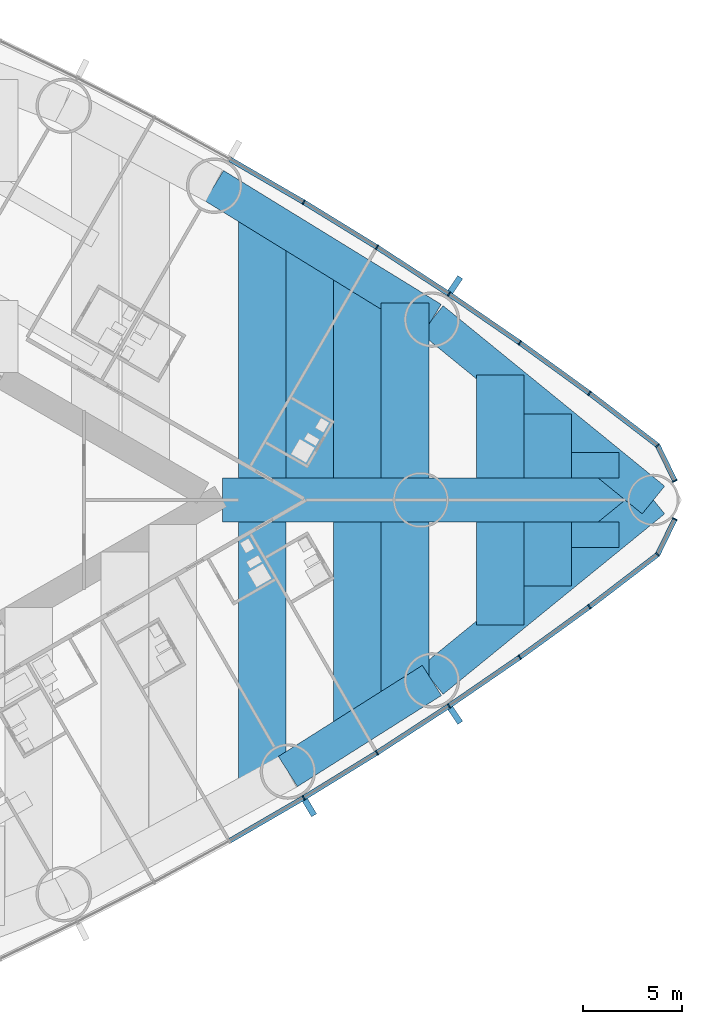
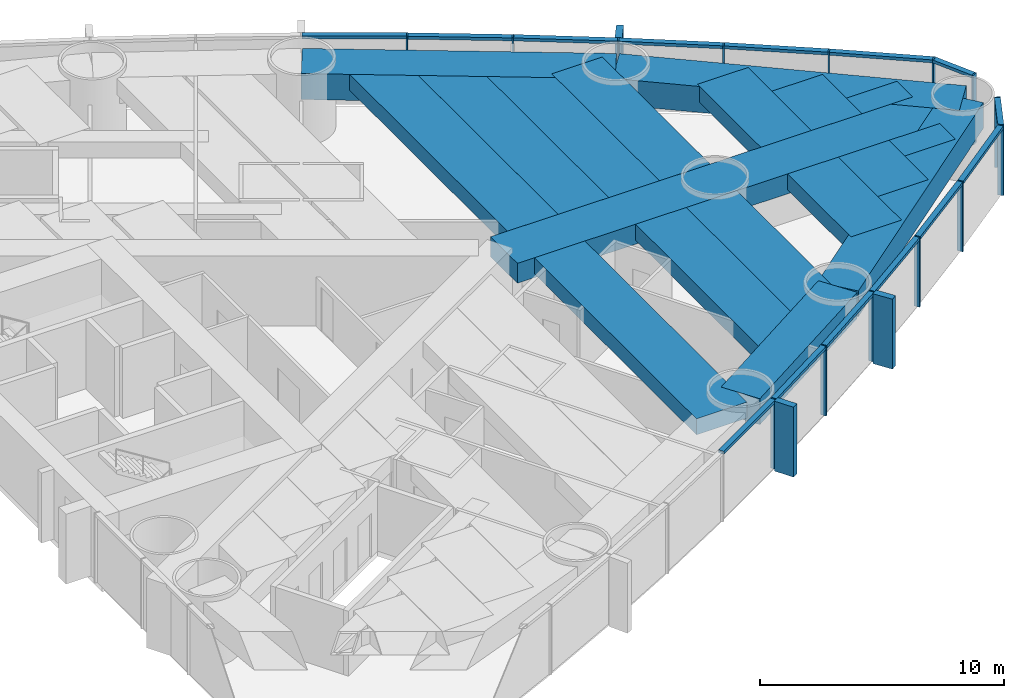
# One storey, part 8 of 19: 31 members, 18 beams, 2 elements without a shape of their own.
"""IFC4 building model written with IfcOpenShell, lengths in metres."""

from ifc_helpers import new_model, si_unit, direction, frame, origin, origin_2d, place, context, subcontext, project, spatial, rectangle, extrude, material, material_profile, profile_set, type_object, element, aggregate, save


model = new_model("IFC4")

# Units and contexts
model_context = context("Model", 3, precision=1e-05, world=origin(), true_north=direction((0.0, 1.0)))
body_context = subcontext(model_context, "Body", "Model", "MODEL_VIEW")
ifc_project = project(units=[si_unit("LENGTHUNIT", "METRE"), si_unit("AREAUNIT", "SQUARE_METRE"), si_unit("VOLUMEUNIT", "CUBIC_METRE"), si_unit("PLANEANGLEUNIT", "RADIAN"), si_unit("MASSUNIT", "GRAM", prefix="KILO")], contexts=[model_context])

# Site, building, storey
site_placement = place(None, origin())
site = spatial("IfcSite", under=ifc_project, at=site_placement, CompositionType="ELEMENT")
building_placement = place(site_placement, origin())
building = spatial("IfcBuilding", under=site, at=building_placement, Name="Lancet Gate Hotel", CompositionType="ELEMENT")
storey_placement = place(building_placement, frame((0.0, 0.0, 63.5)))
storey = spatial("IfcBuildingStorey", under=building, at=storey_placement, Name="L16", CompositionType="ELEMENT", Elevation=63.5)

# Curtain wall, members
ifc_material_1 = material(Name="Aluminium curtain wall", Category="aluminium")
curtain_wall_type = type_object("IfcCurtainWallType", Name="Tower unitised curtain wall", PredefinedType="USERDEFINED", material=ifc_material_1)
curtain_wall_1_placement = place(storey_placement, origin())
curtain_wall_1 = element("IfcCurtainWall", 1, at=curtain_wall_1_placement, inside=storey, type_object=curtain_wall_type, Name="T2 L16 curtain wall 2", ObjectType="UNITISED CURTAIN WALL", PredefinedType="USERDEFINED")
ifc_material_2 = material(Name="Aluminium mullion", Category="aluminium")
ifc_material_profile_1 = material_profile(ifc_material_2, rectangle(XDim=0.06494140625, YDim=0.25, at=origin_2d()), Name="MULLION 65x250")
ifc_profile_set_1 = profile_set([ifc_material_profile_1], Name="Aluminium mullion")
member_type_1 = type_object("IfcMemberType", Name="Aluminium mullion 65x250", PredefinedType="MULLION", material=ifc_profile_set_1)
member_1_placement = place(storey_placement, frame((55.590087890625, -15.03125, 0.0), z_axis=(0.0, 0.0, 1.0), x_axis=(0.858413008828, 0.512959166284, 0.0)))
member_1 = element("IfcMember", 2, at=member_1_placement, type_object=member_type_1, Name="T2 L16 curtain wall 2 mullion 8", PredefinedType="MULLION", context=body_context, shape_type="SweptSolid", body=[
    extrude(rectangle(XDim=0.06494140625, YDim=0.25, at=origin_2d()), origin(), (0.0, 0.0, 1.0), 3.5),
])
member_2_placement = place(storey_placement, frame((59.28515625, -12.7587890625, 0.0), z_axis=(0.0, 0.0, 1.0), x_axis=(0.845079420983, 0.534640788035, 0.0)))
member_2 = element("IfcMember", 3, at=member_2_placement, type_object=member_type_1, Name="T2 L16 curtain wall 2 mullion 9", PredefinedType="MULLION", context=body_context, shape_type="SweptSolid", body=[
    extrude(rectangle(XDim=0.06494140625, YDim=0.25, at=origin_2d()), origin(), (0.0, 0.0, 1.0), 3.5),
])
member_3_placement = place(storey_placement, frame((62.921142578125, -10.393310546875, 0.0), z_axis=(0.0, 0.0, 1.0), x_axis=(0.831198325377, 0.555976028162, 0.0)))
member_3 = element("IfcMember", 4, at=member_3_placement, type_object=member_type_1, Name="T2 L16 curtain wall 2 mullion 10", PredefinedType="MULLION", context=body_context, shape_type="SweptSolid", body=[
    extrude(rectangle(XDim=0.06494140625, YDim=0.25, at=origin_2d()), origin(), (0.0, 0.0, 1.0), 3.5),
])
member_4_placement = place(storey_placement, frame((66.49560546875, -7.935791015625, 0.0), z_axis=(0.0, 0.0, 1.0), x_axis=(0.816778715254, 0.576951064049, 0.0)))
member_4 = element("IfcMember", 5, at=member_4_placement, type_object=member_type_1, Name="T2 L16 curtain wall 2 mullion 11", PredefinedType="MULLION", context=body_context, shape_type="SweptSolid", body=[
    extrude(rectangle(XDim=0.06494140625, YDim=0.25, at=origin_2d()), origin(), (0.0, 0.0, 1.0), 3.5),
])
member_5_placement = place(storey_placement, frame((70.00634765625, -5.388427734375, 0.0), z_axis=(0.0, 0.0, 1.0), x_axis=(0.801829932754, 0.597552306447, 0.0)))
member_5 = element("IfcMember", 6, at=member_5_placement, type_object=member_type_1, Name="T2 L16 curtain wall 2 mullion 12", PredefinedType="MULLION", context=body_context, shape_type="SweptSolid", body=[
    extrude(rectangle(XDim=0.06494140625, YDim=0.25, at=origin_2d()), origin(), (0.0, 0.0, 1.0), 3.5),
])
member_6_placement = place(storey_placement, frame((73.451416015625, -2.752197265625, 0.0), z_axis=(0.0, 0.0, 1.0), x_axis=(0.697983022443, 0.716114306784, 0.0)))
member_6 = element("IfcMember", 7, at=member_6_placement, type_object=member_type_1, Name="T2 L16 curtain wall 2 mullion 13", PredefinedType="MULLION", context=body_context, shape_type="SweptSolid", body=[
    extrude(rectangle(XDim=0.06494140625, YDim=0.25, at=origin_2d()), origin(), (0.0, 0.0, 1.0), 3.5),
])
member_7_placement = place(storey_placement, frame((74.322265625, -0.96044921875, 0.0), z_axis=(0.0, 0.0, 1.0), x_axis=(0.437169070119, 0.899379343843, 0.0)))
member_7 = element("IfcMember", 8, at=member_7_placement, type_object=member_type_1, Name="T2 L16 curtain wall 2 mullion 14", PredefinedType="MULLION", context=body_context, shape_type="SweptSolid", body=[
    extrude(rectangle(XDim=0.06494140625, YDim=0.25, at=origin_2d()), origin(), (0.0, 0.0, 1.0), 3.5),
])

curtain_wall_2_placement = place(storey_placement, origin())
curtain_wall_2 = element("IfcCurtainWall", 9, at=curtain_wall_2_placement, inside=storey, type_object=curtain_wall_type, Name="T2 L16 curtain wall 3", ObjectType="UNITISED CURTAIN WALL", PredefinedType="USERDEFINED")
member_8_placement = place(storey_placement, frame((74.322265625, 0.96044921875, 0.0), z_axis=(0.0, 0.0, 1.0), x_axis=(-0.437169070119, 0.899379343843, 0.0)))
member_8 = element("IfcMember", 10, at=member_8_placement, type_object=member_type_1, Name="T2 L16 curtain wall 3 mullion 1", PredefinedType="MULLION", context=body_context, shape_type="SweptSolid", body=[
    extrude(rectangle(XDim=0.06494140625, YDim=0.25, at=origin_2d()), origin(), (0.0, 0.0, 1.0), 3.5),
])
member_9_placement = place(storey_placement, frame((73.451416015625, 2.752197265625, 0.0), z_axis=(0.0, 0.0, 1.0), x_axis=(-0.697983022443, 0.716114306784, 0.0)))
member_9 = element("IfcMember", 11, at=member_9_placement, type_object=member_type_1, Name="T2 L16 curtain wall 3 mullion 2", PredefinedType="MULLION", context=body_context, shape_type="SweptSolid", body=[
    extrude(rectangle(XDim=0.06494140625, YDim=0.25, at=origin_2d()), origin(), (0.0, 0.0, 1.0), 3.5),
])
member_10_placement = place(storey_placement, frame((70.00634765625, 5.388427734375, 0.0), z_axis=(0.0, 0.0, 1.0), x_axis=(-0.801829932754, 0.597552306447, 0.0)))
member_10 = element("IfcMember", 12, at=member_10_placement, type_object=member_type_1, Name="T2 L16 curtain wall 3 mullion 3", PredefinedType="MULLION", context=body_context, shape_type="SweptSolid", body=[
    extrude(rectangle(XDim=0.06494140625, YDim=0.25, at=origin_2d()), origin(), (0.0, 0.0, 1.0), 3.5),
])
member_11_placement = place(storey_placement, frame((66.49560546875, 7.935791015625, 0.0), z_axis=(0.0, 0.0, 1.0), x_axis=(-0.816778715254, 0.576951064049, 0.0)))
member_11 = element("IfcMember", 13, at=member_11_placement, type_object=member_type_1, Name="T2 L16 curtain wall 3 mullion 4", PredefinedType="MULLION", context=body_context, shape_type="SweptSolid", body=[
    extrude(rectangle(XDim=0.06494140625, YDim=0.25, at=origin_2d()), origin(), (0.0, 0.0, 1.0), 3.5),
])
member_12_placement = place(storey_placement, frame((62.921142578125, 10.393310546875, 0.0), z_axis=(0.0, 0.0, 1.0), x_axis=(-0.831198325377, 0.555976028162, 0.0)))
member_12 = element("IfcMember", 14, at=member_12_placement, type_object=member_type_1, Name="T2 L16 curtain wall 3 mullion 5", PredefinedType="MULLION", context=body_context, shape_type="SweptSolid", body=[
    extrude(rectangle(XDim=0.06494140625, YDim=0.25, at=origin_2d()), origin(), (0.0, 0.0, 1.0), 3.5),
])
member_13_placement = place(storey_placement, frame((59.28515625, 12.7587890625, 0.0), z_axis=(0.0, 0.0, 1.0), x_axis=(-0.845079420983, 0.534640788035, 0.0)))
member_13 = element("IfcMember", 15, at=member_13_placement, type_object=member_type_1, Name="T2 L16 curtain wall 3 mullion 6", PredefinedType="MULLION", context=body_context, shape_type="SweptSolid", body=[
    extrude(rectangle(XDim=0.06494140625, YDim=0.25, at=origin_2d()), origin(), (0.0, 0.0, 1.0), 3.5),
])
member_14_placement = place(storey_placement, frame((55.590087890625, 15.03125, 0.0), z_axis=(0.0, 0.0, 1.0), x_axis=(-0.858413008828, 0.512959166284, 0.0)))
member_14 = element("IfcMember", 16, at=member_14_placement, type_object=member_type_1, Name="T2 L16 curtain wall 3 mullion 7", PredefinedType="MULLION", context=body_context, shape_type="SweptSolid", body=[
    extrude(rectangle(XDim=0.06494140625, YDim=0.25, at=origin_2d()), origin(), (0.0, 0.0, 1.0), 3.5),
])

# Member
ifc_material_3 = material(Name="Aluminium transom", Category="aluminium")
ifc_material_profile_2 = material_profile(ifc_material_3, rectangle(XDim=0.25, YDim=0.14990234375, at=origin_2d()), Name="TRANSOM 250x150")
ifc_profile_set_2 = profile_set([ifc_material_profile_2], Name="Aluminium transom")
member_type_2 = type_object("IfcMemberType", Name="Aluminium transom 250x150", PredefinedType="USERDEFINED", material=ifc_profile_set_2)
member_15_placement = place(storey_placement, frame((51.86669921875, -17.1923828125, 3.425048828125), z_axis=(0.864854571156, 0.502022480324, 0.0), x_axis=(-0.502022480324, 0.864854571156, 0.0)))
member_15 = element("IfcMember", 17, at=member_15_placement, type_object=member_type_2, Name="T2 L16 curtain wall 2 transom 7", ObjectType="TRANSOM", PredefinedType="USERDEFINED", context=body_context, shape_type="SweptSolid", body=[
    extrude(rectangle(XDim=0.25, YDim=0.14990234375, at=origin_2d()), origin(), (0.0, 0.0, 1.0), 4.272705078125),
])

member_16_placement = place(storey_placement, frame((55.617919921875, -15.01416015625, 3.425048828125), z_axis=(0.851815224451, 0.523842365023, 0.0), x_axis=(-0.523842365023, 0.851815224451, 0.0)))
member_16 = element("IfcMember", 18, at=member_16_placement, type_object=member_type_2, Name="T2 L16 curtain wall 2 transom 8", ObjectType="TRANSOM", PredefinedType="USERDEFINED", context=body_context, shape_type="SweptSolid", body=[
    extrude(rectangle(XDim=0.25, YDim=0.14990234375, at=origin_2d()), origin(), (0.0, 0.0, 1.0), 4.272705078125),
])

member_17_placement = place(storey_placement, frame((59.3125, -12.7412109375, 3.425048828125), z_axis=(0.83817850664, 0.545395994674, 0.0), x_axis=(-0.545395994674, 0.83817850664, 0.0)))
member_17 = element("IfcMember", 19, at=member_17_placement, type_object=member_type_2, Name="T2 L16 curtain wall 2 transom 9", ObjectType="TRANSOM", PredefinedType="USERDEFINED", context=body_context, shape_type="SweptSolid", body=[
    extrude(rectangle(XDim=0.25, YDim=0.14990234375, at=origin_2d()), origin(), (0.0, 0.0, 1.0), 4.272705078125),
])

member_18_placement = place(storey_placement, frame((62.94775390625, -10.374755859375, 3.425048828125), z_axis=(0.824071932869, 0.566485171437, 0.0), x_axis=(-0.566485171437, 0.824071932869, 0.0)))
member_18 = element("IfcMember", 20, at=member_18_placement, type_object=member_type_2, Name="T2 L16 curtain wall 2 transom 10", ObjectType="TRANSOM", PredefinedType="USERDEFINED", context=body_context, shape_type="SweptSolid", body=[
    extrude(rectangle(XDim=0.25, YDim=0.14990234375, at=origin_2d()), origin(), (0.0, 0.0, 1.0), 4.272705078125),
])

member_19_placement = place(storey_placement, frame((66.52197265625, -7.916748046875, 3.425048828125), z_axis=(0.809382971085, 0.587281198505, 0.0), x_axis=(-0.587281198505, 0.809382971085, 0.0)))
member_19 = element("IfcMember", 21, at=member_19_placement, type_object=member_type_2, Name="T2 L16 curtain wall 2 transom 11", ObjectType="TRANSOM", PredefinedType="USERDEFINED", context=body_context, shape_type="SweptSolid", body=[
    extrude(rectangle(XDim=0.25, YDim=0.14990234375, at=origin_2d()), origin(), (0.0, 0.0, 1.0), 4.272705078125),
])

member_20_placement = place(storey_placement, frame((70.0322265625, -5.36865234375, 3.425048828125), z_axis=(0.794155062652, 0.607715177089, 0.0), x_axis=(-0.607715177089, 0.794155062652, 0.0)))
member_20 = element("IfcMember", 22, at=member_20_placement, type_object=member_type_2, Name="T2 L16 curtain wall 2 transom 12", ObjectType="TRANSOM", PredefinedType="USERDEFINED", context=body_context, shape_type="SweptSolid", body=[
    extrude(rectangle(XDim=0.25, YDim=0.14990234375, at=origin_2d()), origin(), (0.0, 0.0, 1.0), 4.27294921875),
])

member_21_placement = place(storey_placement, frame((73.465576171875, -2.72314453125, 3.425048828125), z_axis=(0.437103060611, 0.899411426659, 0.0), x_axis=(-0.899411426659, 0.437103060611, 0.0)))
member_21 = element("IfcMember", 23, at=member_21_placement, type_object=member_type_2, Name="T2 L16 curtain wall 2 transom 13", ObjectType="TRANSOM", PredefinedType="USERDEFINED", context=body_context, shape_type="SweptSolid", body=[
    extrude(rectangle(XDim=0.25, YDim=0.14990234375, at=origin_2d()), origin(), (0.0, 0.0, 1.0), 1.927490234375),
])

member_22_placement = place(storey_placement, frame((74.30810546875, 0.989501953125, 3.425048828125), z_axis=(-0.437103060611, 0.899411426659, 0.0), x_axis=(-0.899411426659, -0.437103060611, 0.0)))
member_22 = element("IfcMember", 24, at=member_22_placement, type_object=member_type_2, Name="T2 L16 curtain wall 3 transom 1", ObjectType="TRANSOM", PredefinedType="USERDEFINED", context=body_context, shape_type="SweptSolid", body=[
    extrude(rectangle(XDim=0.25, YDim=0.14990234375, at=origin_2d()), origin(), (0.0, 0.0, 1.0), 1.927490234375),
])

member_23_placement = place(storey_placement, frame((73.425537109375, 2.77197265625, 3.425048828125), z_axis=(-0.794155062652, 0.607715177089, 0.0), x_axis=(-0.607715177089, -0.794155062652, 0.0)))
member_23 = element("IfcMember", 25, at=member_23_placement, type_object=member_type_2, Name="T2 L16 curtain wall 3 transom 2", ObjectType="TRANSOM", PredefinedType="USERDEFINED", context=body_context, shape_type="SweptSolid", body=[
    extrude(rectangle(XDim=0.25, YDim=0.14990234375, at=origin_2d()), origin(), (0.0, 0.0, 1.0), 4.27294921875),
])

member_24_placement = place(storey_placement, frame((69.980224609375, 5.407470703125, 3.425048828125), z_axis=(-0.809382971085, 0.587281198505, 0.0), x_axis=(-0.587281198505, -0.809382971085, 0.0)))
member_24 = element("IfcMember", 26, at=member_24_placement, type_object=member_type_2, Name="T2 L16 curtain wall 3 transom 3", ObjectType="TRANSOM", PredefinedType="USERDEFINED", context=body_context, shape_type="SweptSolid", body=[
    extrude(rectangle(XDim=0.25, YDim=0.14990234375, at=origin_2d()), origin(), (0.0, 0.0, 1.0), 4.272705078125),
])

member_25_placement = place(storey_placement, frame((66.46875, 7.954345703125, 3.425048828125), z_axis=(-0.824071932869, 0.566485171437, 0.0), x_axis=(-0.566485171437, -0.824071932869, 0.0)))
member_25 = element("IfcMember", 27, at=member_25_placement, type_object=member_type_2, Name="T2 L16 curtain wall 3 transom 4", ObjectType="TRANSOM", PredefinedType="USERDEFINED", context=body_context, shape_type="SweptSolid", body=[
    extrude(rectangle(XDim=0.25, YDim=0.14990234375, at=origin_2d()), origin(), (0.0, 0.0, 1.0), 4.272705078125),
])

member_26_placement = place(storey_placement, frame((62.893798828125, 10.410888671875, 3.425048828125), z_axis=(-0.83817850664, 0.545395994674, 0.0), x_axis=(-0.545395994674, -0.83817850664, 0.0)))
member_26 = element("IfcMember", 28, at=member_26_placement, type_object=member_type_2, Name="T2 L16 curtain wall 3 transom 5", ObjectType="TRANSOM", PredefinedType="USERDEFINED", context=body_context, shape_type="SweptSolid", body=[
    extrude(rectangle(XDim=0.25, YDim=0.14990234375, at=origin_2d()), origin(), (0.0, 0.0, 1.0), 4.272705078125),
])

member_27_placement = place(storey_placement, frame((59.257568359375, 12.77587890625, 3.425048828125), z_axis=(-0.851815224451, 0.523842365023, 0.0), x_axis=(-0.523842365023, -0.851815224451, 0.0)))
member_27 = element("IfcMember", 29, at=member_27_placement, type_object=member_type_2, Name="T2 L16 curtain wall 3 transom 6", ObjectType="TRANSOM", PredefinedType="USERDEFINED", context=body_context, shape_type="SweptSolid", body=[
    extrude(rectangle(XDim=0.25, YDim=0.14990234375, at=origin_2d()), origin(), (0.0, 0.0, 1.0), 4.272705078125),
])

member_28_placement = place(storey_placement, frame((55.56201171875, 15.04736328125, 3.425048828125), z_axis=(-0.864854571156, 0.502022480324, 0.0), x_axis=(-0.502022480324, -0.864854571156, 0.0)))
member_28 = element("IfcMember", 30, at=member_28_placement, type_object=member_type_2, Name="T2 L16 curtain wall 3 transom 7", ObjectType="TRANSOM", PredefinedType="USERDEFINED", context=body_context, shape_type="SweptSolid", body=[
    extrude(rectangle(XDim=0.25, YDim=0.14990234375, at=origin_2d()), origin(), (0.0, 0.0, 1.0), 4.272705078125),
])

# Beams
ifc_material_4 = material(Name="Concrete C50/60", Category="concrete")
ifc_material_profile_3 = material_profile(ifc_material_4, rectangle(XDim=1.800048828125, YDim=1.300048828125, at=origin_2d()), Name="RC 1800x1300")
ifc_profile_set_3 = profile_set([ifc_material_profile_3], Name="Concrete C50/60")
beam_type_1 = type_object("IfcBeamType", Name="Edge beam RC 1800x1300", PredefinedType="SPANDREL", material=ifc_profile_set_3)
beam_1_placement = place(storey_placement, frame((54.795166015625, -13.70068359375, 2.60009765625), z_axis=(0.845078312276, 0.534642540508, 0.0), x_axis=(-0.534642540508, 0.845078312276, 0.0)))
element("IfcBeam", 31, at=beam_1_placement, inside=storey, type_object=beam_type_1, Name="T2 edge beam EB1 L16", PredefinedType="SPANDREL", context=body_context, shape_type="SweptSolid", body=[
    extrude(rectangle(XDim=1.800048828125, YDim=1.300048828125, at=origin_2d()), origin(), (0.0, 0.0, 1.0), 8.595947265625),
])
for number, where, z_axis, x_axis, name in (
    (32, (62.059326171875, -9.10498046875, 2.60009765625), (0.775390970005, 0.631481467372, 0.0), (-0.631481467372, 0.775390970005, 0.0), "T2 edge beam EB1 L16"),
    (33, (73.2392578125, 0.0, 2.60009765625), (-0.775390970005, 0.631481467372, 0.0), (-0.631481467372, -0.775390970005, 0.0), "T2 edge beam EB1 L16"),
):
    element("IfcBeam", number, at=place(storey_placement, frame(where, z_axis=z_axis, x_axis=x_axis)), inside=storey, type_object=beam_type_1, Name=name, PredefinedType="SPANDREL", context=body_context, shape_type="SweptSolid", body=[
        extrude(rectangle(XDim=1.800048828125, YDim=1.300048828125, at=origin_2d()), origin(), (0.0, 0.0, 1.0), 14.41845703125),
    ])
beam_2_placement = place(storey_placement, frame((62.059326171875, 9.10498046875, 2.60009765625), z_axis=(-0.851815628025, 0.523841708775, 0.0), x_axis=(-0.523841708775, -0.851815628025, 0.0)))
element("IfcBeam", 34, at=beam_2_placement, inside=storey, type_object=beam_type_1, Name="T2 edge beam EB1 L16", PredefinedType="SPANDREL", context=body_context, shape_type="SweptSolid", body=[
    extrude(rectangle(XDim=1.800048828125, YDim=1.300048828125, at=origin_2d()), origin(), (0.0, 0.0, 1.0), 12.89208984375),
])

# Member
ifc_material_5 = material(Name="Precast concrete C50/60", Category="concrete")
ifc_material_profile_4 = material_profile(ifc_material_5, rectangle(XDim=0.300048828125, YDim=0.89990234375, at=origin_2d()), Name="FIN 300x900")
ifc_profile_set_4 = profile_set([ifc_material_profile_4], Name="Precast concrete C50/60")
member_type_3 = type_object("IfcMemberType", Name="Exposed concrete fin 300x900", PredefinedType="USERDEFINED", material=ifc_profile_set_4)
member_29_placement = place(storey_placement, frame((55.88525390625, -15.524658203125, 0.0), z_axis=(0.0, 0.0, 1.0), x_axis=(0.858413008828, 0.512959166284, 0.0)))
member_29 = element("IfcMember", 35, at=member_29_placement, type_object=member_type_3, Name="T2 L16 curtain wall 2 fin 8", ObjectType="FIN", PredefinedType="USERDEFINED", context=body_context, shape_type="SweptSolid", body=[
    extrude(rectangle(XDim=0.300048828125, YDim=0.89990234375, at=origin_2d()), origin(), (0.0, 0.0, 1.0), 3.5),
])

member_30_placement = place(storey_placement, frame((63.24072265625, -10.87109375, 0.0), z_axis=(0.0, 0.0, 1.0), x_axis=(0.831198325377, 0.555976028162, 0.0)))
member_30 = element("IfcMember", 36, at=member_30_placement, type_object=member_type_3, Name="T2 L16 curtain wall 2 fin 10", ObjectType="FIN", PredefinedType="USERDEFINED", context=body_context, shape_type="SweptSolid", body=[
    extrude(rectangle(XDim=0.300048828125, YDim=0.89990234375, at=origin_2d()), origin(), (0.0, 0.0, 1.0), 3.5),
])

aggregate(curtain_wall_1, [member_1, member_29, member_2, member_3, member_30, member_4, member_5, member_6, member_7, member_15, member_16, member_17, member_18, member_19, member_20, member_21])

member_31_placement = place(storey_placement, frame((63.24072265625, 10.87109375, 0.0), z_axis=(0.0, 0.0, 1.0), x_axis=(-0.831198325377, 0.555976028162, 0.0)))
member_31 = element("IfcMember", 37, at=member_31_placement, type_object=member_type_3, Name="T2 L16 curtain wall 3 fin 5", ObjectType="FIN", PredefinedType="USERDEFINED", context=body_context, shape_type="SweptSolid", body=[
    extrude(rectangle(XDim=0.300048828125, YDim=0.89990234375, at=origin_2d()), origin(), (0.0, 0.0, 1.0), 3.5),
])

aggregate(curtain_wall_2, [member_8, member_9, member_10, member_11, member_12, member_31, member_13, member_14, member_22, member_23, member_24, member_25, member_26, member_27, member_28])

# Beams
ifc_material_6 = material(Name="Concrete C50/60", Category="concrete")
ifc_material_profile_5 = material_profile(ifc_material_6, rectangle(XDim=2.39990234375, YDim=0.800048828125, at=origin_2d()), Name="RC 2400x800")
ifc_profile_set_5 = profile_set([ifc_material_profile_5], Name="Concrete C50/60")
beam_type_2 = type_object("IfcBeamType", Name="Floor beam RC 2400x800", PredefinedType="BEAM", material=ifc_profile_set_5)
beam_3_placement = place(storey_placement, frame((53.502197265625, -14.40771484375, 2.85009765625), z_axis=(0.0, 1.0, 0.0), x_axis=(-1.0, 0.0, 0.0)))
element("IfcBeam", 38, at=beam_3_placement, inside=storey, type_object=beam_type_2, Name="T2 floor beam F16S L16", PredefinedType="BEAM", context=body_context, shape_type="SweptSolid", body=[
    extrude(rectangle(XDim=2.39990234375, YDim=0.800048828125, at=origin_2d()), origin(), (0.0, 0.0, 1.0), 13.3076171875),
])
beam_4_placement = place(storey_placement, frame((53.502197265625, 1.10009765625, 2.85009765625), z_axis=(0.0, 1.0, 0.0), x_axis=(-1.0, 0.0, 0.0)))
element("IfcBeam", 39, at=beam_4_placement, inside=storey, type_object=beam_type_2, Name="T2 floor beam F17N L16", PredefinedType="BEAM", context=body_context, shape_type="SweptSolid", body=[
    extrude(rectangle(XDim=2.39990234375, YDim=0.800048828125, at=origin_2d()), origin(), (0.0, 0.0, 1.0), 13.26708984375),
])
beam_5_placement = place(storey_placement, frame((55.90234375, 1.10009765625, 2.85009765625), z_axis=(0.0, 1.0, 0.0), x_axis=(-1.0, 0.0, 0.0)))
element("IfcBeam", 40, at=beam_5_placement, inside=storey, type_object=beam_type_2, Name="T2 floor beam F18N L16", PredefinedType="BEAM", context=body_context, shape_type="SweptSolid", body=[
    extrude(rectangle(XDim=2.39990234375, YDim=0.800048828125, at=origin_2d()), origin(), (0.0, 0.0, 1.0), 11.791259765625),
])
beam_6_placement = place(storey_placement, frame((58.30224609375, -11.48193359375, 2.85009765625), z_axis=(0.0, 1.0, 0.0), x_axis=(-1.0, 0.0, 0.0)))
element("IfcBeam", 41, at=beam_6_placement, inside=storey, type_object=beam_type_2, Name="T2 floor beam F19S L16", PredefinedType="BEAM", context=body_context, shape_type="SweptSolid", body=[
    extrude(rectangle(XDim=2.39990234375, YDim=0.800048828125, at=origin_2d()), origin(), (0.0, 0.0, 1.0), 10.3818359375),
])
beam_7_placement = place(storey_placement, frame((58.30224609375, 1.10009765625, 2.85009765625), z_axis=(0.0, 1.0, 0.0), x_axis=(-1.0, 0.0, 0.0)))
element("IfcBeam", 42, at=beam_7_placement, inside=storey, type_object=beam_type_2, Name="T2 floor beam F20N L16", PredefinedType="BEAM", context=body_context, shape_type="SweptSolid", body=[
    extrude(rectangle(XDim=2.39990234375, YDim=0.800048828125, at=origin_2d()), origin(), (0.0, 0.0, 1.0), 10.3154296875),
])
beam_8_placement = place(storey_placement, frame((60.7021484375, -9.96337890625, 2.85009765625), z_axis=(0.0, 1.0, 0.0), x_axis=(-1.0, 0.0, 0.0)))
element("IfcBeam", 43, at=beam_8_placement, inside=storey, type_object=beam_type_2, Name="T2 floor beam F21S L16", PredefinedType="BEAM", context=body_context, shape_type="SweptSolid", body=[
    extrude(rectangle(XDim=2.39990234375, YDim=0.800048828125, at=origin_2d()), origin(), (0.0, 0.0, 1.0), 8.86328125),
])
beam_9_placement = place(storey_placement, frame((60.7021484375, 1.10009765625, 2.85009765625), z_axis=(0.0, 1.0, 0.0), x_axis=(-1.0, 0.0, 0.0)))
element("IfcBeam", 44, at=beam_9_placement, inside=storey, type_object=beam_type_2, Name="T2 floor beam F22N L16", PredefinedType="BEAM", context=body_context, shape_type="SweptSolid", body=[
    extrude(rectangle(XDim=2.39990234375, YDim=0.800048828125, at=origin_2d()), origin(), (0.0, 0.0, 1.0), 8.83935546875),
])
for number, where, z_axis, x_axis, name in (
    (45, (65.502197265625, -6.301025390625, 2.85009765625), (0.0, 1.0, 0.0), (-1.0, 0.0, 0.0), "T2 floor beam F23S L16"),
    (46, (65.502197265625, 1.10009765625, 2.85009765625), (0.0, 1.0, 0.0), (-1.0, 0.0, 0.0), "T2 floor beam F24N L16"),
):
    element("IfcBeam", number, at=place(storey_placement, frame(where, z_axis=z_axis, x_axis=x_axis)), inside=storey, type_object=beam_type_2, Name=name, PredefinedType="BEAM", context=body_context, shape_type="SweptSolid", body=[
        extrude(rectangle(XDim=2.39990234375, YDim=0.800048828125, at=origin_2d()), origin(), (0.0, 0.0, 1.0), 5.200927734375),
    ])
for number, where, z_axis, x_axis, name in (
    (47, (67.90234375, -4.346435546875, 2.85009765625), (0.0, 1.0, 0.0), (-1.0, 0.0, 0.0), "T2 floor beam F25S L16"),
    (48, (67.90234375, 1.10009765625, 2.85009765625), (0.0, 1.0, 0.0), (-1.0, 0.0, 0.0), "T2 floor beam F26N L16"),
):
    element("IfcBeam", number, at=place(storey_placement, frame(where, z_axis=z_axis, x_axis=x_axis)), inside=storey, type_object=beam_type_2, Name=name, PredefinedType="BEAM", context=body_context, shape_type="SweptSolid", body=[
        extrude(rectangle(XDim=2.39990234375, YDim=0.800048828125, at=origin_2d()), origin(), (0.0, 0.0, 1.0), 3.246337890625),
    ])
for number, where, z_axis, x_axis, name in (
    (49, (70.30224609375, -2.391845703125, 2.85009765625), (0.0, 1.0, 0.0), (-1.0, 0.0, 0.0), "T2 floor beam F27S L16"),
    (50, (70.30224609375, 1.10009765625, 2.85009765625), (0.0, 1.0, 0.0), (-1.0, 0.0, 0.0), "T2 floor beam F28N L16"),
):
    element("IfcBeam", number, at=place(storey_placement, frame(where, z_axis=z_axis, x_axis=x_axis)), inside=storey, type_object=beam_type_2, Name=name, PredefinedType="BEAM", context=body_context, shape_type="SweptSolid", body=[
        extrude(rectangle(XDim=2.39990234375, YDim=0.800048828125, at=origin_2d()), origin(), (0.0, 0.0, 1.0), 1.291748046875),
    ])
ifc_material_7 = material(Name="Concrete C50/60", Category="concrete")
ifc_material_profile_6 = material_profile(ifc_material_7, rectangle(XDim=2.199951171875, YDim=1.0, at=origin_2d()), Name="RC 2200x1000")
ifc_profile_set_6 = profile_set([ifc_material_profile_6], Name="Concrete C50/60")
beam_type_3 = type_object("IfcBeamType", Name="Radial floor beam RC 2200x1000", PredefinedType="BEAM", material=ifc_profile_set_6)
beam_10_placement = place(storey_placement, frame((73.2392578125, 0.0, 2.75), z_axis=(-1.0, 0.0, 0.0), x_axis=(0.0, -1.0, 0.0)))
element("IfcBeam", 51, at=beam_10_placement, inside=storey, type_object=beam_type_3, Name="T2 radial beam CA L16", PredefinedType="BEAM", context=body_context, shape_type="SweptSolid", body=[
    extrude(rectangle(XDim=2.199951171875, YDim=1.0, at=origin_2d()), origin(), (0.0, 0.0, 1.0), 21.737060546875),
])

save(model, "model.ifc")
